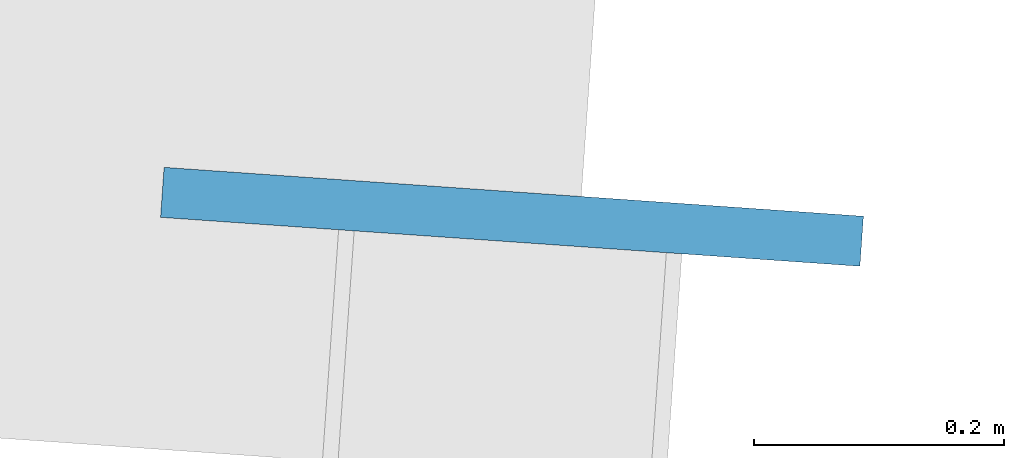
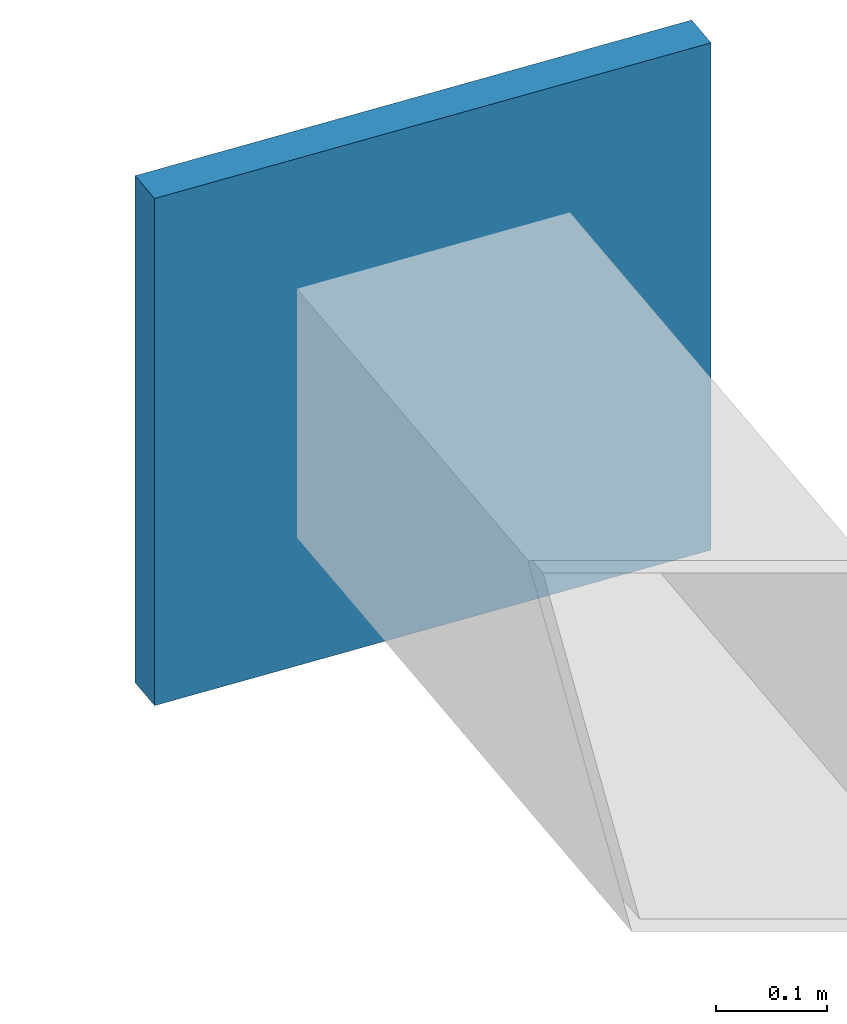
# One storey, part 34 of 39: 1 plate.
"""IFC4 building model written with IfcOpenShell, lengths in metres."""

from ifc_helpers import new_model, si_unit, direction, frame, origin, origin_2d, place, context, subcontext, project, spatial, rectangle, extrude, source, transform, mapped, material, layer, layer_set, type_object, element, save


model = new_model("IFC4")

# Units and contexts
model_context = context("Model", 3, precision=1e-05, world=origin(), true_north=direction((0.0, 1.0)))
body_context = subcontext(model_context, "Body", "Model", "MODEL_VIEW")
ifc_project = project(units=[si_unit("LENGTHUNIT", "METRE"), si_unit("AREAUNIT", "SQUARE_METRE"), si_unit("VOLUMEUNIT", "CUBIC_METRE"), si_unit("PLANEANGLEUNIT", "RADIAN"), si_unit("MASSUNIT", "GRAM", prefix="KILO")], contexts=[model_context])

# Site, building, storey
site_placement = place(None, origin())
site = spatial("IfcSite", under=ifc_project, at=site_placement, CompositionType="ELEMENT")
building_placement = place(site_placement, origin())
building = spatial("IfcBuilding", under=site, at=building_placement, Name="Taldren Reach Tower", CompositionType="ELEMENT")
storey_placement = place(building_placement, frame((0.0, 0.0, 123.550048828125)))
storey = spatial("IfcBuildingStorey", under=building, at=storey_placement, Name="L37", CompositionType="ELEMENT", Elevation=123.550048828125)

# Plate
ifc_material = material(Name="Steel Gr 450 (C450L0)", Category="steel")
ifc_layer = layer(ifc_material, 0.0400390625)
ifc_layer_set = layer_set([ifc_layer], Name="Steel Gr 450 (C450L0)")
plate_type = type_object("IfcPlateType", Name="PL-GUSSET-40", PredefinedType="SHEET", material=ifc_layer_set)
shared_shape = source(origin(), body_context, "Body", "SweptSolid", [
    extrude(rectangle(XDim=0.56005859375, YDim=0.0400390625, at=origin_2d()), origin(), (0.0, 0.0, 1.0), 0.56005859375),
])
plate_placement = place(storey_placement, frame((58.544677734375, 36.40771484375, 2.369873046875), z_axis=(0.0, 0.0, 1.0), x_axis=(0.99756405026, -0.069756473744, 0.0)))
element("IfcPlate", 1, at=plate_placement, inside=storey, type_object=plate_type, Name="Exoskeleton star-node gusset plate B3-N6 L37", PredefinedType="SHEET", context=body_context, shape_type="MappedRepresentation", body=[
    mapped(shared_shape, transform((0.0, 0.0, 0.0), scale=1.0)),
])

save(model, "model.ifc")
